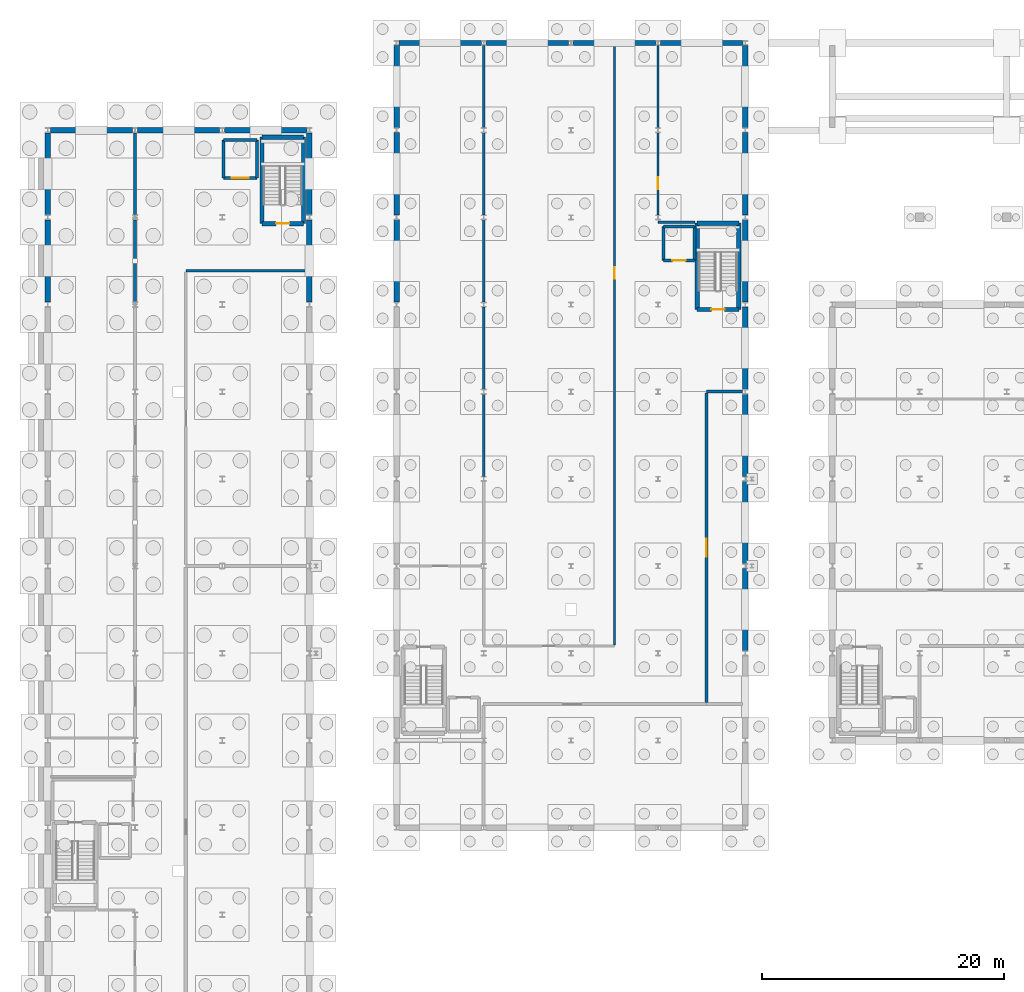
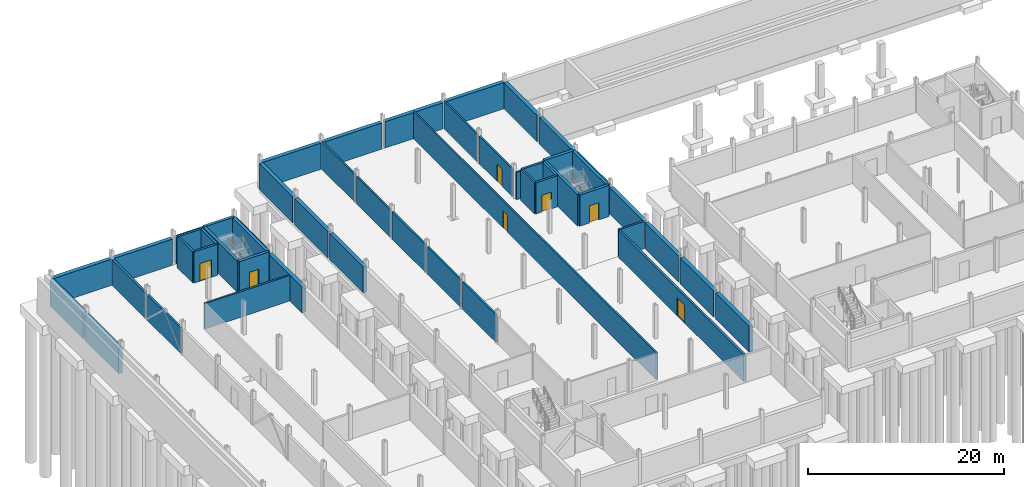
# One storey, part 38 of 50: 51 walls, 7 doors, 7 openings.
"""IFC4 building model written with IfcOpenShell, lengths in metres."""

from ifc_helpers import new_model, si_unit, direction, frame, frame_2d, origin, place, context, subcontext, project, spatial, rectangle, extrude, material, layer, layer_set, type_object, element, fill, save


model = new_model("IFC4")

# Units and contexts
model_context = context("Model", 3, precision=1e-05, world=origin(), true_north=direction((0.0, 1.0)))
body_context = subcontext(model_context, "Body", "Model", "MODEL_VIEW")
ifc_project = project(units=[si_unit("LENGTHUNIT", "METRE"), si_unit("AREAUNIT", "SQUARE_METRE"), si_unit("VOLUMEUNIT", "CUBIC_METRE"), si_unit("PLANEANGLEUNIT", "RADIAN"), si_unit("MASSUNIT", "GRAM", prefix="KILO")], contexts=[model_context])

# Site, building, storey
site_placement = place(None, origin())
site = spatial("IfcSite", under=ifc_project, at=site_placement, CompositionType="ELEMENT")
building_placement = place(site_placement, origin())
building = spatial("IfcBuilding", under=site, at=building_placement, Name="Narikvali Park Central Library", CompositionType="ELEMENT")
storey_placement = place(building_placement, frame((0.0, 0.0, -4.199951171875)))
storey = spatial("IfcBuildingStorey", under=building, at=storey_placement, Name="B1", CompositionType="ELEMENT", Elevation=-4.199951171875)

# Walls
ifc_material_1 = material(Name="Reinforced Masonry Blockwork C30/37", Category="masonry")
ifc_layer_1 = layer(ifc_material_1, 0.219970703125, Name="Reinforced Masonry Blockwork C30/37")
ifc_layer_set_1 = layer_set([ifc_layer_1], Name="Reinforced Masonry Blockwork C30/37")
wall_type_1 = type_object("IfcWallType", Name="Archive Fire-Resisting Partition 220", PredefinedType="SOLIDWALL", material=ifc_layer_set_1)
wall_1_placement = place(storey_placement, frame((11.39990234375, 96.39990234375, 0.0), z_axis=(0.0, 0.0, 1.0), x_axis=(1.0, 0.0, 0.0)))
element("IfcWall", 1, at=wall_1_placement, inside=storey, type_object=wall_type_1, Name="High-Density Compact Mobile Shelving Repository Partition N", PredefinedType="SOLIDWALL", context=body_context, shape_type="SweptSolid", body=[
    extrude(rectangle(XDim=9.97509765625, YDim=0.219970703125, at=frame_2d((4.987548828125, 0.0))), origin(), (0.0, 0.0, 1.0), 3.175048828125),
])
ifc_material_2 = material(Name="Concrete C35/45", Category="concrete")
ifc_layer_2 = layer(ifc_material_2, 0.449951171875, Name="Concrete C35/45")
ifc_layer_set_2 = layer_set([ifc_layer_2], Name="Concrete C35/45")
wall_type_2 = type_object("IfcWallType", Name="Basement Perimeter Retaining Wall 450", PredefinedType="USERDEFINED", material=ifc_layer_set_2)
wall_2_placement = place(storey_placement, frame((28.987548828125, 115.199951171875, 0.0), z_axis=(0.0, 0.0, 1.0), x_axis=(1.0, 0.0, 0.0)))
element("IfcWall", 2, at=wall_2_placement, inside=storey, type_object=wall_type_2, Name="V4 B1 Retaining Wall N", ObjectType="RETAINING WALL", PredefinedType="USERDEFINED", context=body_context, shape_type="SweptSolid", body=[
    extrude(rectangle(XDim=6.824462890625, YDim=0.449951171875, at=frame_2d((3.412109375, 0.0))), origin(), (0.0, 0.0, 1.0), 3.260009765625),
])
for number, where, z_axis, x_axis, name in (
    (3, (36.18798828125, 115.199951171875, 0.0), (0.0, 0.0, 1.0), (1.0, 0.0, 0.0), "V4 B1 Retaining Wall N"),
    (4, (43.387939453125, 115.199951171875, 0.0), (0.0, 0.0, 1.0), (1.0, 0.0, 0.0), "V4 B1 Retaining Wall N"),
):
    element("IfcWall", number, at=place(storey_placement, frame(where, z_axis=z_axis, x_axis=x_axis)), inside=storey, type_object=wall_type_2, Name=name, ObjectType="RETAINING WALL", PredefinedType="USERDEFINED", context=body_context, shape_type="SweptSolid", body=[
        extrude(rectangle(XDim=6.823974609375, YDim=0.449951171875, at=frame_2d((3.412109375, 0.0))), origin(), (0.0, 0.0, 1.0), 3.260009765625),
    ])
wall_3_placement = place(storey_placement, frame((50.587890625, 115.199951171875, 0.0), z_axis=(0.0, 0.0, 1.0), x_axis=(1.0, 0.0, 0.0)))
element("IfcWall", 5, at=wall_3_placement, inside=storey, type_object=wall_type_2, Name="V4 B1 Retaining Wall N", ObjectType="RETAINING WALL", PredefinedType="USERDEFINED", context=body_context, shape_type="SweptSolid", body=[
    extrude(rectangle(XDim=6.82470703125, YDim=0.449951171875, at=frame_2d((3.412353515625, 0.0))), origin(), (0.0, 0.0, 1.0), 3.260009765625),
])
for number, where, z_axis, x_axis, name in (
    (6, (57.60009765625, 64.989990234375, 0.0), (0.0, 0.0, 1.0), (0.0, 1.0, 0.0), "V4 B1 Retaining Wall E"),
    (7, (57.60009765625, 72.18994140625, 0.0), (0.0, 0.0, 1.0), (0.0, 1.0, 0.0), "V4 B1 Retaining Wall E"),
    (8, (57.60009765625, 79.389892578125, 0.0), (0.0, 0.0, 1.0), (0.0, 1.0, 0.0), "V4 B1 Retaining Wall E"),
):
    element("IfcWall", number, at=place(storey_placement, frame(where, z_axis=z_axis, x_axis=x_axis)), inside=storey, type_object=wall_type_2, Name=name, ObjectType="RETAINING WALL", PredefinedType="USERDEFINED", context=body_context, shape_type="SweptSolid", body=[
        extrude(rectangle(XDim=6.820068359375, YDim=0.449951171875, at=frame_2d((3.41015625, 0.0))), origin(), (0.0, 0.0, 1.0), 3.260009765625),
    ])
wall_4_placement = place(storey_placement, frame((57.60009765625, 86.590087890625, 0.0), z_axis=(0.0, 0.0, 1.0), x_axis=(0.0, 1.0, 0.0)))
element("IfcWall", 9, at=wall_4_placement, inside=storey, type_object=wall_type_2, Name="V4 B1 Retaining Wall E", ObjectType="RETAINING WALL", PredefinedType="USERDEFINED", context=body_context, shape_type="SweptSolid", body=[
    extrude(rectangle(XDim=6.81982421875, YDim=0.449951171875, at=frame_2d((3.409912109375, 0.0))), origin(), (0.0, 0.0, 1.0), 3.260009765625),
])
for number, where, z_axis, x_axis, name in (
    (10, (28.800048828125, 93.7900390625, 0.0), (0.0, 0.0, 1.0), (0.0, 1.0, 0.0), "V4 B1 Retaining Wall W"),
    (11, (57.60009765625, 93.7900390625, 0.0), (0.0, 0.0, 1.0), (0.0, 1.0, 0.0), "V4 B1 Retaining Wall E"),
    (12, (28.800048828125, 100.989990234375, 0.0), (0.0, 0.0, 1.0), (0.0, 1.0, 0.0), "V4 B1 Retaining Wall W"),
    (13, (57.60009765625, 100.989990234375, 0.0), (0.0, 0.0, 1.0), (0.0, 1.0, 0.0), "V4 B1 Retaining Wall E"),
):
    element("IfcWall", number, at=place(storey_placement, frame(where, z_axis=z_axis, x_axis=x_axis)), inside=storey, type_object=wall_type_2, Name=name, ObjectType="RETAINING WALL", PredefinedType="USERDEFINED", context=body_context, shape_type="SweptSolid", body=[
        extrude(rectangle(XDim=6.820068359375, YDim=0.449951171875, at=frame_2d((3.41015625, 0.0))), origin(), (0.0, 0.0, 1.0), 3.260009765625),
    ])
for number, where, z_axis, x_axis, name in (
    (14, (28.800048828125, 108.18994140625, 0.0), (0.0, 0.0, 1.0), (0.0, 1.0, 0.0), "V4 B1 Retaining Wall W"),
    (15, (57.60009765625, 108.18994140625, 0.0), (0.0, 0.0, 1.0), (0.0, 1.0, 0.0), "V4 B1 Retaining Wall E"),
):
    element("IfcWall", number, at=place(storey_placement, frame(where, z_axis=z_axis, x_axis=x_axis)), inside=storey, type_object=wall_type_2, Name=name, ObjectType="RETAINING WALL", PredefinedType="USERDEFINED", context=body_context, shape_type="SweptSolid", body=[
        extrude(rectangle(XDim=6.822509765625, YDim=0.449951171875, at=frame_2d((3.4111328125, 0.0))), origin(), (0.0, 0.0, 1.0), 3.260009765625),
    ])
wall_5_placement = place(storey_placement, frame((0.20458984375, 108.0, 0.0), z_axis=(0.0, 0.0, 1.0), x_axis=(1.0, 0.0, 0.0)))
element("IfcWall", 16, at=wall_5_placement, inside=storey, type_object=wall_type_2, Name="V5 B1 Retaining Wall N", ObjectType="RETAINING WALL", PredefinedType="USERDEFINED", context=body_context, shape_type="SweptSolid", body=[
    extrude(rectangle(XDim=6.79248046875, YDim=0.449951171875, at=frame_2d((3.396240234375, 0.0))), origin(), (0.0, 0.0, 1.0), 3.260009765625),
])
wall_6_placement = place(storey_placement, frame((7.403076171875, 108.0, 0.0), z_axis=(0.0, 0.0, 1.0), x_axis=(1.0, 0.0, 0.0)))
element("IfcWall", 17, at=wall_6_placement, inside=storey, type_object=wall_type_2, Name="V5 B1 Retaining Wall N", ObjectType="RETAINING WALL", PredefinedType="USERDEFINED", context=body_context, shape_type="SweptSolid", body=[
    extrude(rectangle(XDim=6.7939453125, YDim=0.449951171875, at=frame_2d((3.39697265625, 0.0))), origin(), (0.0, 0.0, 1.0), 3.260009765625),
])
wall_7_placement = place(storey_placement, frame((14.60302734375, 108.0, 0.0), z_axis=(0.0, 0.0, 1.0), x_axis=(1.0, 0.0, 0.0)))
element("IfcWall", 18, at=wall_7_placement, inside=storey, type_object=wall_type_2, Name="V5 B1 Retaining Wall N", ObjectType="RETAINING WALL", PredefinedType="USERDEFINED", context=body_context, shape_type="SweptSolid", body=[
    extrude(rectangle(XDim=6.79248046875, YDim=0.449951171875, at=frame_2d((3.396240234375, 0.0))), origin(), (0.0, 0.0, 1.0), 3.260009765625),
])
for number, where, z_axis, x_axis, name in (
    (19, (0.0, 93.80810546875, 0.0), (0.0, 0.0, 1.0), (0.0, 1.0, 0.0), "V5 B1 Retaining Wall W"),
    (20, (21.60009765625, 93.80810546875, 0.0), (0.0, 0.0, 1.0), (0.0, 1.0, 0.0), "V5 B1 Retaining Wall E"),
):
    element("IfcWall", number, at=place(storey_placement, frame(where, z_axis=z_axis, x_axis=x_axis)), inside=storey, type_object=wall_type_2, Name=name, ObjectType="RETAINING WALL", PredefinedType="USERDEFINED", context=body_context, shape_type="SweptSolid", body=[
        extrude(rectangle(XDim=6.783935546875, YDim=0.449951171875, at=frame_2d((3.39208984375, 0.0))), origin(), (0.0, 0.0, 1.0), 3.260009765625),
    ])
for number, where, z_axis, x_axis, name in (
    (21, (0.0, 101.008056640625, 0.0), (0.0, 0.0, 1.0), (0.0, 1.0, 0.0), "V5 B1 Retaining Wall W"),
    (22, (21.60009765625, 101.008056640625, 0.0), (0.0, 0.0, 1.0), (0.0, 1.0, 0.0), "V5 B1 Retaining Wall E"),
):
    element("IfcWall", number, at=place(storey_placement, frame(where, z_axis=z_axis, x_axis=x_axis)), inside=storey, type_object=wall_type_2, Name=name, ObjectType="RETAINING WALL", PredefinedType="USERDEFINED", context=body_context, shape_type="SweptSolid", body=[
        extrude(rectangle(XDim=6.779541015625, YDim=0.449951171875, at=frame_2d((3.3896484375, 0.0))), origin(), (0.0, 0.0, 1.0), 3.260009765625),
    ])
ifc_material_3 = material(Name="Cleanroom Gypsum on Steel Studs", Category="steel")
ifc_layer_3 = layer(ifc_material_3, 0.18994140625, Name="Cleanroom Gypsum on Steel Studs")
ifc_layer_set_3 = layer_set([ifc_layer_3], Name="Cleanroom Gypsum on Steel Studs")
wall_type_3 = type_object("IfcWallType", Name="Conservation Lab Partition Wall 190", PredefinedType="PARTITIONING", material=ifc_layer_set_3)
wall_8_placement = place(storey_placement, frame((36.0, 79.3974609375, 0.0), z_axis=(0.0, 0.0, 1.0), x_axis=(0.0, 1.0, 0.0)))
element("IfcWall", 23, at=wall_8_placement, inside=storey, type_object=wall_type_3, Name="Manuscript Digitisation Laboratory Partition E", PredefinedType="PARTITIONING", context=body_context, shape_type="SweptSolid", body=[
    extrude(rectangle(XDim=6.804931640625, YDim=0.18994140625, at=frame_2d((3.40234375, 0.0))), origin(), (0.0, 0.0, 1.0), 3.425048828125),
])
wall_9_placement = place(storey_placement, frame((36.0, 86.597412109375, 0.0), z_axis=(0.0, 0.0, 1.0), x_axis=(0.0, 1.0, 0.0)))
element("IfcWall", 24, at=wall_9_placement, inside=storey, type_object=wall_type_3, Name="Manuscript Digitisation Laboratory Partition E", PredefinedType="PARTITIONING", context=body_context, shape_type="SweptSolid", body=[
    extrude(rectangle(XDim=6.80517578125, YDim=0.18994140625, at=frame_2d((3.402587890625, 0.0))), origin(), (0.0, 0.0, 1.0), 3.425048828125),
])
for number, where, z_axis, x_axis, name in (
    (25, (36.0, 93.797607421875, 0.0), (0.0, 0.0, 1.0), (0.0, 1.0, 0.0), "Manuscript Digitisation Laboratory Partition E"),
    (26, (36.0, 100.99755859375, 0.0), (0.0, 0.0, 1.0), (0.0, 1.0, 0.0), "Manuscript Digitisation Laboratory Partition E"),
):
    element("IfcWall", number, at=place(storey_placement, frame(where, z_axis=z_axis, x_axis=x_axis)), inside=storey, type_object=wall_type_3, Name=name, PredefinedType="PARTITIONING", context=body_context, shape_type="SweptSolid", body=[
        extrude(rectangle(XDim=6.804931640625, YDim=0.18994140625, at=frame_2d((3.40234375, 0.0))), origin(), (0.0, 0.0, 1.0), 3.425048828125),
    ])
wall_10_placement = place(storey_placement, frame((36.0, 108.197509765625, 0.0), z_axis=(0.0, 0.0, 1.0), x_axis=(0.0, 1.0, 0.0)))
element("IfcWall", 27, at=wall_10_placement, inside=storey, type_object=wall_type_3, Name="Manuscript Digitisation Laboratory Partition E", PredefinedType="PARTITIONING", context=body_context, shape_type="SweptSolid", body=[
    extrude(rectangle(XDim=6.777587890625, YDim=0.18994140625, at=frame_2d((3.388671875, 0.0))), origin(), (0.0, 0.0, 1.0), 3.425048828125),
])
ifc_material_4 = material(Name="Concrete Blockwork C30/37", Category="masonry")
ifc_layer_4 = layer(ifc_material_4, 0.25, Name="Concrete Blockwork C30/37")
ifc_layer_set_4 = layer_set([ifc_layer_4], Name="Concrete Blockwork C30/37")
wall_type_4 = type_object("IfcWallType", Name="Plant Room Acoustic Fire Wall 250", PredefinedType="SOLIDWALL", material=ifc_layer_set_4)
wall_11_placement = place(storey_placement, frame((54.39990234375, 86.39990234375, 0.0), z_axis=(0.0, 0.0, 1.0), x_axis=(1.0, 0.0, 0.0)))
element("IfcWall", 28, at=wall_11_placement, inside=storey, type_object=wall_type_4, Name="Atrium Southeast Switchgear Room Partition N", PredefinedType="SOLIDWALL", context=body_context, shape_type="SweptSolid", body=[
    extrude(rectangle(XDim=2.97509765625, YDim=0.25, at=frame_2d((1.487548828125, 0.0))), origin(), (0.0, 0.0, 1.0), 3.375),
])

# Wall, opening, door
wall_12_placement = place(storey_placement, frame((54.39990234375, 60.72705078125, 0.0), z_axis=(0.0, 0.0, 1.0), x_axis=(0.0, 1.0, 0.0)))
wall_12 = element("IfcWall", 29, at=wall_12_placement, inside=storey, type_object=wall_type_4, Name="Atrium Southeast Switchgear Room Partition W", PredefinedType="SOLIDWALL", context=body_context, shape_type="SweptSolid", body=[
    extrude(rectangle(XDim=25.5458984375, YDim=0.25, at=frame_2d((12.77294921875, 0.0))), origin(), (0.0, 0.0, 1.0), 3.375),
])
opening_1_placement = place(wall_12_placement, frame((12.02294921875, 0.0, 0.0)))
opening_1 = element("IfcOpeningElement", 30, at=opening_1_placement, cuts=wall_12, Name="Opening ID-0078", PredefinedType="OPENING", context=body_context, shape_type="SweptSolid", body=[
    extrude(rectangle(XDim=1.5, YDim=2.199951171875, at=frame_2d((0.75, 1.10009765625))), frame((0.0, 0.136962890625, 0.0), z_axis=(0.0, -1.0, 0.0), x_axis=(1.0, 0.0, 0.0)), (0.0, 0.0, 1.0), 0.27392578125),
])
ifc_material_5 = material(Name="Galvanised Steel S275 Louvred Fire Leaf", Category="steel")
door_type_1 = type_object("IfcDoorType", Name="Plant Room Double Steel Fire Door 1500x2200", OperationType="DOUBLE_DOOR_SINGLE_SWING", PredefinedType="DOOR", material=ifc_material_5)
door_1_placement = place(opening_1_placement, origin())
door_1 = element("IfcDoor", 31, at=door_1_placement, inside=storey, type_object=door_type_1, Name="Atrium Southeast Switchgear Room Door ID-0078", OperationType="DOUBLE_DOOR_SINGLE_SWING", OverallHeight=2.199951171875, OverallWidth=1.5, PredefinedType="DOOR", context=body_context, shape_type="SweptSolid", body=[
    extrude(rectangle(XDim=1.5, YDim=2.199951171875, at=frame_2d((0.75, 1.10009765625))), frame((0.0, 0.02490234375, 0.0), z_axis=(0.0, -1.0, 0.0), x_axis=(1.0, 0.0, 0.0)), (0.0, 0.0, 1.0), 0.050048828125),
])
fill(opening_1, door_1)

# Walls
wall_13_placement = place(storey_placement, frame((7.199951171875, 93.821533203125, 0.0), z_axis=(0.0, 0.0, 1.0), x_axis=(0.0, 1.0, 0.0)))
element("IfcWall", 32, at=wall_13_placement, inside=storey, type_object=wall_type_4, Name="Archive Precision Climate Plant Room Partition E", PredefinedType="SOLIDWALL", context=body_context, shape_type="SweptSolid", body=[
    extrude(rectangle(XDim=6.757080078125, YDim=0.25, at=frame_2d((3.37841796875, 0.0))), origin(), (0.0, 0.0, 1.0), 3.175048828125),
])
wall_14_placement = place(storey_placement, frame((7.199951171875, 101.021484375, 0.0), z_axis=(0.0, 0.0, 1.0), x_axis=(0.0, 1.0, 0.0)))
element("IfcWall", 33, at=wall_14_placement, inside=storey, type_object=wall_type_4, Name="Archive Precision Climate Plant Room Partition E", PredefinedType="SOLIDWALL", context=body_context, shape_type="SweptSolid", body=[
    extrude(rectangle(XDim=6.75341796875, YDim=0.25, at=frame_2d((3.376708984375, 0.0))), origin(), (0.0, 0.0, 1.0), 3.175048828125),
])
ifc_material_6 = material(Name="Acoustic Gypsum on Steel Studs", Category="steel")
ifc_layer_5 = layer(ifc_material_6, 0.179931640625, Name="Acoustic Gypsum on Steel Studs")
ifc_layer_set_5 = layer_set([ifc_layer_5], Name="Acoustic Gypsum on Steel Studs")
wall_type_5 = type_object("IfcWallType", Name="Reading Room Acoustic Partition 180", PredefinedType="PARTITIONING", material=ifc_layer_set_5)
wall_15_placement = place(storey_placement, frame((50.39990234375, 100.39990234375, 0.0), z_axis=(0.0, 0.0, 1.0), x_axis=(1.0, 0.0, 0.0)))
element("IfcWall", 34, at=wall_15_placement, inside=storey, type_object=wall_type_5, Name="Serials Crate Reserve Store Partition S", PredefinedType="PARTITIONING", context=body_context, shape_type="SweptSolid", body=[
    extrude(rectangle(XDim=3.052978515625, YDim=0.179931640625, at=frame_2d((1.5263671875, 0.0))), origin(), (0.0, 0.0, 1.0), 3.425048828125),
])

# Wall, opening, door
wall_16_placement = place(storey_placement, frame((50.39990234375, 100.99755859375, 0.0), z_axis=(0.0, 0.0, 1.0), x_axis=(0.0, 1.0, 0.0)))
wall_16 = element("IfcWall", 35, at=wall_16_placement, inside=storey, type_object=wall_type_5, Name="Serials Crate Reserve Store Partition W", PredefinedType="PARTITIONING", context=body_context, shape_type="SweptSolid", body=[
    extrude(rectangle(XDim=6.804931640625, YDim=0.179931640625, at=frame_2d((3.40234375, 0.0))), origin(), (0.0, 0.0, 1.0), 3.425048828125),
])
opening_2_placement = place(wall_16_placement, frame((2.12109375, 0.0, 0.0)))
opening_2 = element("IfcOpeningElement", 36, at=opening_2_placement, cuts=wall_16, Name="Opening ID-0077", PredefinedType="OPENING", context=body_context, shape_type="SweptSolid", body=[
    extrude(rectangle(XDim=1.0, YDim=2.14990234375, at=frame_2d((0.5, 1.074951171875))), frame((0.0, 0.10205078125, 0.0), z_axis=(0.0, -1.0, 0.0), x_axis=(1.0, 0.0, 0.0)), (0.0, 0.0, 1.0), 0.203857421875),
])
ifc_material_7 = material(Name="Solid Caucasian Oak")
door_type_2 = type_object("IfcDoorType", Name="Study Room Single Oak Door 1000x2150", OperationType="SINGLE_SWING_LEFT", PredefinedType="DOOR", material=ifc_material_7)
door_2_placement = place(opening_2_placement, frame((1.0, 0.0, 0.0), z_axis=(0.0, 0.0, 1.0), x_axis=(-1.0, 0.0, 0.0)))
door_2 = element("IfcDoor", 37, at=door_2_placement, inside=storey, type_object=door_type_2, Name="Serials Crate Reserve Store Door ID-0077", OperationType="SINGLE_SWING_LEFT", OverallHeight=2.14990234375, OverallWidth=1.0, PredefinedType="DOOR", context=body_context, shape_type="SweptSolid", body=[
    extrude(rectangle(XDim=1.0, YDim=2.14990234375, at=frame_2d((0.5, 1.074951171875))), frame((0.0, 0.02490234375, 0.0), z_axis=(0.0, -1.0, 0.0), x_axis=(1.0, 0.0, 0.0)), (0.0, 0.0, 1.0), 0.050048828125),
])
fill(opening_2, door_2)

# Wall
wall_17_placement = place(storey_placement, frame((50.39990234375, 108.197509765625, 0.0), z_axis=(0.0, 0.0, 1.0), x_axis=(0.0, 1.0, 0.0)))
element("IfcWall", 38, at=wall_17_placement, inside=storey, type_object=wall_type_5, Name="Serials Crate Reserve Store Partition W", PredefinedType="PARTITIONING", context=body_context, shape_type="SweptSolid", body=[
    extrude(rectangle(XDim=6.777587890625, YDim=0.179931640625, at=frame_2d((3.388671875, 0.0))), origin(), (0.0, 0.0, 1.0), 3.425048828125),
])

# Wall, opening, door
wall_18_placement = place(storey_placement, frame((46.800048828125, 65.491943359375, 0.0), z_axis=(0.0, 0.0, 1.0), x_axis=(0.0, 1.0, 0.0)))
wall_18 = element("IfcWall", 39, at=wall_18_placement, inside=storey, type_object=wall_type_5, Name="Automated Book Sorting and Cataloguing Room Partition E", PredefinedType="PARTITIONING", context=body_context, shape_type="SweptSolid", body=[
    extrude(rectangle(XDim=49.483154296875, YDim=0.179931640625, at=frame_2d((24.74169921875, 0.0))), origin(), (0.0, 0.0, 1.0), 3.375),
])
opening_3_placement = place(wall_18_placement, frame((30.23291015625, 0.0, 0.0)))
opening_3 = element("IfcOpeningElement", 40, at=opening_3_placement, cuts=wall_18, Name="Opening ID-0079", PredefinedType="OPENING", context=body_context, shape_type="SweptSolid", body=[
    extrude(rectangle(XDim=0.949951171875, YDim=2.14990234375, at=frame_2d((0.47509765625, 1.074951171875))), frame((0.0, 0.10205078125, 0.0), z_axis=(0.0, -1.0, 0.0), x_axis=(1.0, 0.0, 0.0)), (0.0, 0.0, 1.0), 0.203857421875),
])
door_type_3 = type_object("IfcDoorType", Name="Staff Cataloguing Office Door 950x2150", OperationType="SINGLE_SWING_LEFT", PredefinedType="DOOR", material=ifc_material_7)
door_3_placement = place(opening_3_placement, origin())
door_3 = element("IfcDoor", 41, at=door_3_placement, inside=storey, type_object=door_type_3, Name="Automated Book Sorting and Cataloguing Room Door ID-0079", OperationType="SINGLE_SWING_LEFT", OverallHeight=2.14990234375, OverallWidth=0.949951171875, PredefinedType="DOOR", context=body_context, shape_type="SweptSolid", body=[
    extrude(rectangle(XDim=0.949951171875, YDim=2.14990234375, at=frame_2d((0.47509765625, 1.074951171875))), frame((0.0, 0.02490234375, 0.0), z_axis=(0.0, -1.0, 0.0), x_axis=(1.0, 0.0, 0.0)), (0.0, 0.0, 1.0), 0.050048828125),
])
fill(opening_3, door_3)

ifc_material_8 = material(Name="Concrete C40/50", Category="concrete")
ifc_layer_6 = layer(ifc_material_8, 0.35009765625, Name="Concrete C40/50")
ifc_layer_set_6 = layer_set([ifc_layer_6], Name="Concrete C40/50")
wall_type_6 = type_object("IfcWallType", Name="Reinforced Concrete Core Shear Wall 350", PredefinedType="SHEAR", material=ifc_layer_set_6)
wall_19_placement = place(storey_placement, frame((53.6298828125, 93.179931640625, 0.0), z_axis=(0.0, 0.0, 1.0), x_axis=(1.0, 0.0, 0.0)))
wall_19 = element("IfcWall", 42, at=wall_19_placement, inside=storey, type_object=wall_type_6, Name="C4B B1 Stair Core Shear Wall S", PredefinedType="SHEAR", context=body_context, shape_type="SweptSolid", body=[
    extrude(rectangle(XDim=3.440185546875, YDim=0.35009765625, at=frame_2d((1.72021484375, 0.0))), origin(), (0.0, 0.0, 1.0), 3.8798828125),
])
opening_4_placement = place(wall_19_placement, frame((1.169921875, 0.0, 0.0)))
opening_4 = element("IfcOpeningElement", 43, at=opening_4_placement, cuts=wall_19, Name="Opening SD-030", PredefinedType="OPENING", context=body_context, shape_type="SweptSolid", body=[
    extrude(rectangle(XDim=1.10009765625, YDim=2.14990234375, at=frame_2d((0.550048828125, 1.074951171875))), frame((0.0, 0.18701171875, 0.0), z_axis=(0.0, -1.0, 0.0), x_axis=(1.0, 0.0, 0.0)), (0.0, 0.0, 1.0), 0.3740234375),
])
ifc_material_9 = material(Name="Powder-Coated Steel S275 Fire Leaf", Category="steel")
door_type_4 = type_object("IfcDoorType", Name="Stair Core Smoke-Control Fire Door 1100x2150", OperationType="SINGLE_SWING_LEFT", PredefinedType="DOOR", material=ifc_material_9)
door_4_placement = place(opening_4_placement, frame((1.10009765625, 0.0, 0.0), z_axis=(0.0, 0.0, 1.0), x_axis=(-1.0, 0.0, 0.0)))
door_4 = element("IfcDoor", 44, at=door_4_placement, inside=storey, type_object=door_type_4, Name="ST-08 B1 Stair Exit Door SD-030", OperationType="SINGLE_SWING_RIGHT", OverallHeight=2.14990234375, OverallWidth=1.10009765625, PredefinedType="DOOR", context=body_context, shape_type="SweptSolid", body=[
    extrude(rectangle(XDim=1.10009765625, YDim=2.14990234375, at=frame_2d((0.550048828125, 1.074951171875))), frame((0.0, 0.02490234375, 0.0), z_axis=(0.0, -1.0, 0.0), x_axis=(1.0, 0.0, 0.0)), (0.0, 0.0, 1.0), 0.050048828125),
])
fill(opening_4, door_4)

# Walls
wall_20_placement = place(storey_placement, frame((57.070068359375, 93.179931640625, 0.0), z_axis=(0.0, 0.0, 1.0), x_axis=(0.0, 1.0, 0.0)))
element("IfcWall", 45, at=wall_20_placement, inside=storey, type_object=wall_type_6, Name="C4B B1 Stair Core Shear Wall E", PredefinedType="SHEAR", context=body_context, shape_type="SweptSolid", body=[
    extrude(rectangle(XDim=7.14013671875, YDim=0.35009765625, at=frame_2d((3.570068359375, 0.0))), origin(), (0.0, 0.0, 1.0), 3.8798828125),
])
wall_21_placement = place(storey_placement, frame((57.070068359375, 100.320068359375, 0.0), z_axis=(0.0, 0.0, 1.0), x_axis=(-1.0, 0.0, 0.0)))
element("IfcWall", 46, at=wall_21_placement, inside=storey, type_object=wall_type_6, Name="C4B B1 Stair Core Shear Wall N", PredefinedType="SHEAR", context=body_context, shape_type="SweptSolid", body=[
    extrude(rectangle(XDim=3.440185546875, YDim=0.35009765625, at=frame_2d((1.72021484375, 0.0))), origin(), (0.0, 0.0, 1.0), 3.8798828125),
])
wall_22_placement = place(storey_placement, frame((53.6298828125, 100.320068359375, 0.0), z_axis=(0.0, 0.0, 1.0), x_axis=(0.0, -1.0, 0.0)))
element("IfcWall", 47, at=wall_22_placement, inside=storey, type_object=wall_type_6, Name="C4B B1 Stair Core Shear Wall W", PredefinedType="SHEAR", context=body_context, shape_type="SweptSolid", body=[
    extrude(rectangle(XDim=7.14013671875, YDim=0.35009765625, at=frame_2d((3.570068359375, 0.0))), origin(), (0.0, 0.0, 1.0), 3.8798828125),
])

# Wall, opening, door
wall_23_placement = place(storey_placement, frame((17.679931640625, 100.280029296875, 0.0), z_axis=(0.0, 0.0, 1.0), x_axis=(1.0, 0.0, 0.0)))
wall_23 = element("IfcWall", 48, at=wall_23_placement, inside=storey, type_object=wall_type_6, Name="C5B B1 Stair Core Shear Wall S", PredefinedType="SHEAR", context=body_context, shape_type="SweptSolid", body=[
    extrude(rectangle(XDim=3.440185546875, YDim=0.35009765625, at=frame_2d((1.72021484375, 0.0))), origin(), (0.0, 0.0, 1.0), 3.8798828125),
])
opening_5_placement = place(wall_23_placement, frame((1.169921875, 0.0, 0.0)))
opening_5 = element("IfcOpeningElement", 49, at=opening_5_placement, cuts=wall_23, Name="Opening SD-050", PredefinedType="OPENING", context=body_context, shape_type="SweptSolid", body=[
    extrude(rectangle(XDim=1.10009765625, YDim=2.14990234375, at=frame_2d((0.550048828125, 1.074951171875))), frame((0.0, 0.18701171875, 0.0), z_axis=(0.0, -1.0, 0.0), x_axis=(1.0, 0.0, 0.0)), (0.0, 0.0, 1.0), 0.3740234375),
])
door_5_placement = place(opening_5_placement, frame((1.10009765625, 0.0, 0.0), z_axis=(0.0, 0.0, 1.0), x_axis=(-1.0, 0.0, 0.0)))
door_5 = element("IfcDoor", 50, at=door_5_placement, inside=storey, type_object=door_type_4, Name="ST-10 B1 Stair Exit Door SD-050", OperationType="SINGLE_SWING_RIGHT", OverallHeight=2.14990234375, OverallWidth=1.10009765625, PredefinedType="DOOR", context=body_context, shape_type="SweptSolid", body=[
    extrude(rectangle(XDim=1.10009765625, YDim=2.14990234375, at=frame_2d((0.550048828125, 1.074951171875))), frame((0.0, 0.02490234375, 0.0), z_axis=(0.0, -1.0, 0.0), x_axis=(1.0, 0.0, 0.0)), (0.0, 0.0, 1.0), 0.050048828125),
])
fill(opening_5, door_5)

# Walls
wall_24_placement = place(storey_placement, frame((21.1201171875, 100.280029296875, 0.0), z_axis=(0.0, 0.0, 1.0), x_axis=(0.0, 1.0, 0.0)))
element("IfcWall", 51, at=wall_24_placement, inside=storey, type_object=wall_type_6, Name="C5B B1 Stair Core Shear Wall E", PredefinedType="SHEAR", context=body_context, shape_type="SweptSolid", body=[
    extrude(rectangle(XDim=7.139892578125, YDim=0.35009765625, at=frame_2d((3.56982421875, 0.0))), origin(), (0.0, 0.0, 1.0), 3.8798828125),
])
wall_25_placement = place(storey_placement, frame((21.1201171875, 107.419921875, 0.0), z_axis=(0.0, 0.0, 1.0), x_axis=(-1.0, 0.0, 0.0)))
element("IfcWall", 52, at=wall_25_placement, inside=storey, type_object=wall_type_6, Name="C5B B1 Stair Core Shear Wall N", PredefinedType="SHEAR", context=body_context, shape_type="SweptSolid", body=[
    extrude(rectangle(XDim=3.440185546875, YDim=0.35009765625, at=frame_2d((1.72021484375, 0.0))), origin(), (0.0, 0.0, 1.0), 3.8798828125),
])
wall_26_placement = place(storey_placement, frame((17.679931640625, 107.419921875, 0.0), z_axis=(0.0, 0.0, 1.0), x_axis=(0.0, -1.0, 0.0)))
element("IfcWall", 53, at=wall_26_placement, inside=storey, type_object=wall_type_6, Name="C5B B1 Stair Core Shear Wall W", PredefinedType="SHEAR", context=body_context, shape_type="SweptSolid", body=[
    extrude(rectangle(XDim=7.139892578125, YDim=0.35009765625, at=frame_2d((3.56982421875, 0.0))), origin(), (0.0, 0.0, 1.0), 3.8798828125),
])

# Wall, opening, door
ifc_layer_7 = layer(ifc_material_8, 0.25, Name="Concrete C40/50")
ifc_layer_set_7 = layer_set([ifc_layer_7], Name="Concrete C40/50")
wall_type_7 = type_object("IfcWallType", Name="Reinforced Concrete Lift Shaft Wall 250", PredefinedType="SHEAR", material=ifc_layer_set_7)
wall_27_placement = place(storey_placement, frame((50.85009765625, 97.25, 0.0), z_axis=(0.0, 0.0, 1.0), x_axis=(1.0, 0.0, 0.0)))
wall_27 = element("IfcWall", 54, at=wall_27_placement, inside=storey, type_object=wall_type_7, Name="L-06 B1 Lift Shaft Wall S", PredefinedType="SHEAR", context=body_context, shape_type="SweptSolid", body=[
    extrude(rectangle(XDim=2.5498046875, YDim=0.25, at=frame_2d((1.27490234375, 0.0))), origin(), (0.0, 0.0, 1.0), 3.8798828125),
])
opening_6_placement = place(wall_27_placement, frame((0.72509765625, 0.0, 0.0)))
opening_6 = element("IfcOpeningElement", 55, at=opening_6_placement, cuts=wall_27, Name="Opening LD-028", PredefinedType="OPENING", context=body_context, shape_type="SweptSolid", body=[
    extrude(rectangle(XDim=1.10009765625, YDim=2.10009765625, at=frame_2d((0.550048828125, 1.050048828125))), frame((0.0, 0.136962890625, 0.0), z_axis=(0.0, -1.0, 0.0), x_axis=(1.0, 0.0, 0.0)), (0.0, 0.0, 1.0), 0.27392578125),
])
ifc_material_10 = material(Name="Brushed Stainless Steel S355", Category="steel")
door_type_5 = type_object("IfcDoorType", Name="Passenger Lift Sliding Landing Door 1100x2100", OperationType="SLIDING_TO_LEFT", PredefinedType="DOOR", material=ifc_material_10)
door_6_placement = place(opening_6_placement, origin())
door_6 = element("IfcDoor", 56, at=door_6_placement, inside=storey, type_object=door_type_5, Name="L-06 B1 Lift Landing Sliding Door LD-028", OperationType="SLIDING_TO_LEFT", OverallHeight=2.10009765625, OverallWidth=1.10009765625, PredefinedType="DOOR", context=body_context, shape_type="SweptSolid", body=[
    extrude(rectangle(XDim=1.10009765625, YDim=2.10009765625, at=frame_2d((0.550048828125, 1.050048828125))), frame((0.0, 0.02490234375, 0.0), z_axis=(0.0, -1.0, 0.0), x_axis=(1.0, 0.0, 0.0)), (0.0, 0.0, 1.0), 0.050048828125),
])
fill(opening_6, door_6)

# Walls
wall_28_placement = place(storey_placement, frame((53.39990234375, 97.25, 0.0), z_axis=(0.0, 0.0, 1.0), x_axis=(0.0, 1.0, 0.0)))
element("IfcWall", 57, at=wall_28_placement, inside=storey, type_object=wall_type_7, Name="L-06 B1 Lift Shaft Wall E", PredefinedType="SHEAR", context=body_context, shape_type="SweptSolid", body=[
    extrude(rectangle(XDim=2.800048828125, YDim=0.25, at=frame_2d((1.39990234375, 0.0))), origin(), (0.0, 0.0, 1.0), 3.8798828125),
])
wall_29_placement = place(storey_placement, frame((53.39990234375, 100.050048828125, 0.0), z_axis=(0.0, 0.0, 1.0), x_axis=(-1.0, 0.0, 0.0)))
element("IfcWall", 58, at=wall_29_placement, inside=storey, type_object=wall_type_7, Name="L-06 B1 Lift Shaft Wall N", PredefinedType="SHEAR", context=body_context, shape_type="SweptSolid", body=[
    extrude(rectangle(XDim=2.5498046875, YDim=0.25, at=frame_2d((1.27490234375, 0.0))), origin(), (0.0, 0.0, 1.0), 3.8798828125),
])
wall_30_placement = place(storey_placement, frame((50.85009765625, 100.050048828125, 0.0), z_axis=(0.0, 0.0, 1.0), x_axis=(0.0, -1.0, 0.0)))
element("IfcWall", 59, at=wall_30_placement, inside=storey, type_object=wall_type_7, Name="L-06 B1 Lift Shaft Wall W", PredefinedType="SHEAR", context=body_context, shape_type="SweptSolid", body=[
    extrude(rectangle(XDim=2.800048828125, YDim=0.25, at=frame_2d((1.39990234375, 0.0))), origin(), (0.0, 0.0, 1.0), 3.8798828125),
])

# Wall, opening, door
wall_31_placement = place(storey_placement, frame((14.52001953125, 104.050048828125, 0.0), z_axis=(0.0, 0.0, 1.0), x_axis=(1.0, 0.0, 0.0)))
wall_31 = element("IfcWall", 60, at=wall_31_placement, inside=storey, type_object=wall_type_7, Name="GL-02 B1 Lift Shaft Wall S", PredefinedType="SHEAR", context=body_context, shape_type="SweptSolid", body=[
    extrude(rectangle(XDim=2.75, YDim=0.25, at=frame_2d((1.375, 0.0))), origin(), (0.0, 0.0, 1.0), 3.8798828125),
])
opening_7_placement = place(wall_31_placement, frame((0.675048828125, 0.0, 0.0)))
opening_7 = element("IfcOpeningElement", 61, at=opening_7_placement, cuts=wall_31, Name="Opening LD-041", PredefinedType="OPENING", context=body_context, shape_type="SweptSolid", body=[
    extrude(rectangle(XDim=1.39990234375, YDim=2.199951171875, at=frame_2d((0.699951171875, 1.10009765625))), frame((0.0, 0.136962890625, 0.0), z_axis=(0.0, -1.0, 0.0), x_axis=(1.0, 0.0, 0.0)), (0.0, 0.0, 1.0), 0.27392578125),
])
door_type_6 = type_object("IfcDoorType", Name="Book Goods Lift Sliding Landing Door 1400x2200", OperationType="DOUBLE_DOOR_SLIDING", PredefinedType="DOOR", material=ifc_material_10)
door_7_placement = place(opening_7_placement, origin())
door_7 = element("IfcDoor", 62, at=door_7_placement, inside=storey, type_object=door_type_6, Name="GL-02 B1 Lift Landing Sliding Door LD-041", OperationType="DOUBLE_DOOR_SLIDING", OverallHeight=2.199951171875, OverallWidth=1.39990234375, PredefinedType="DOOR", context=body_context, shape_type="SweptSolid", body=[
    extrude(rectangle(XDim=1.39990234375, YDim=2.199951171875, at=frame_2d((0.699951171875, 1.10009765625))), frame((0.0, 0.02490234375, 0.0), z_axis=(0.0, -1.0, 0.0), x_axis=(1.0, 0.0, 0.0)), (0.0, 0.0, 1.0), 0.050048828125),
])
fill(opening_7, door_7)

# Walls
wall_32_placement = place(storey_placement, frame((17.27001953125, 104.050048828125, 0.0), z_axis=(0.0, 0.0, 1.0), x_axis=(0.0, 1.0, 0.0)))
element("IfcWall", 63, at=wall_32_placement, inside=storey, type_object=wall_type_7, Name="GL-02 B1 Lift Shaft Wall E", PredefinedType="SHEAR", context=body_context, shape_type="SweptSolid", body=[
    extrude(rectangle(XDim=3.14990234375, YDim=0.25, at=frame_2d((1.574951171875, 0.0))), origin(), (0.0, 0.0, 1.0), 3.8798828125),
])
wall_33_placement = place(storey_placement, frame((17.27001953125, 107.199951171875, 0.0), z_axis=(0.0, 0.0, 1.0), x_axis=(-1.0, 0.0, 0.0)))
element("IfcWall", 64, at=wall_33_placement, inside=storey, type_object=wall_type_7, Name="GL-02 B1 Lift Shaft Wall N", PredefinedType="SHEAR", context=body_context, shape_type="SweptSolid", body=[
    extrude(rectangle(XDim=2.75, YDim=0.25, at=frame_2d((1.375, 0.0))), origin(), (0.0, 0.0, 1.0), 3.8798828125),
])
wall_34_placement = place(storey_placement, frame((14.52001953125, 107.199951171875, 0.0), z_axis=(0.0, 0.0, 1.0), x_axis=(0.0, -1.0, 0.0)))
element("IfcWall", 65, at=wall_34_placement, inside=storey, type_object=wall_type_7, Name="GL-02 B1 Lift Shaft Wall W", PredefinedType="SHEAR", context=body_context, shape_type="SweptSolid", body=[
    extrude(rectangle(XDim=3.14990234375, YDim=0.25, at=frame_2d((1.574951171875, 0.0))), origin(), (0.0, 0.0, 1.0), 3.8798828125),
])

save(model, "model.ifc")
